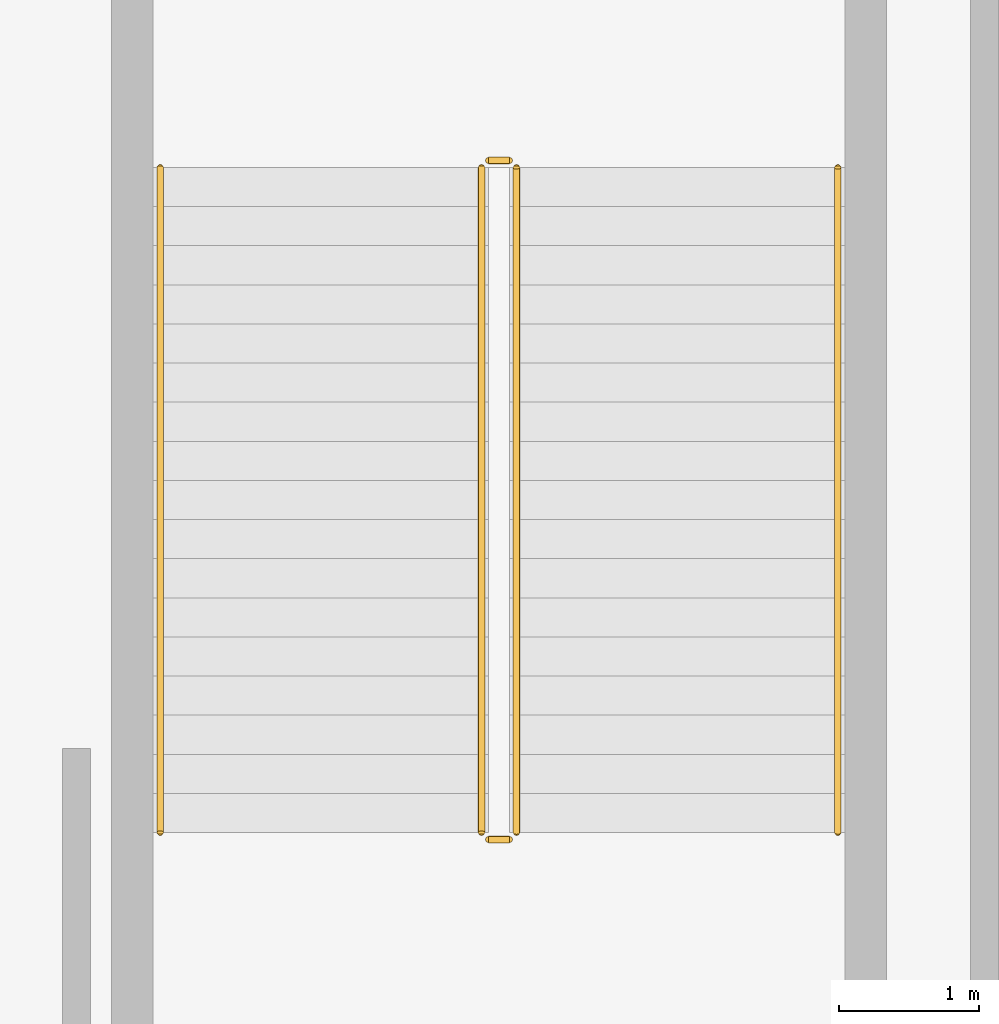
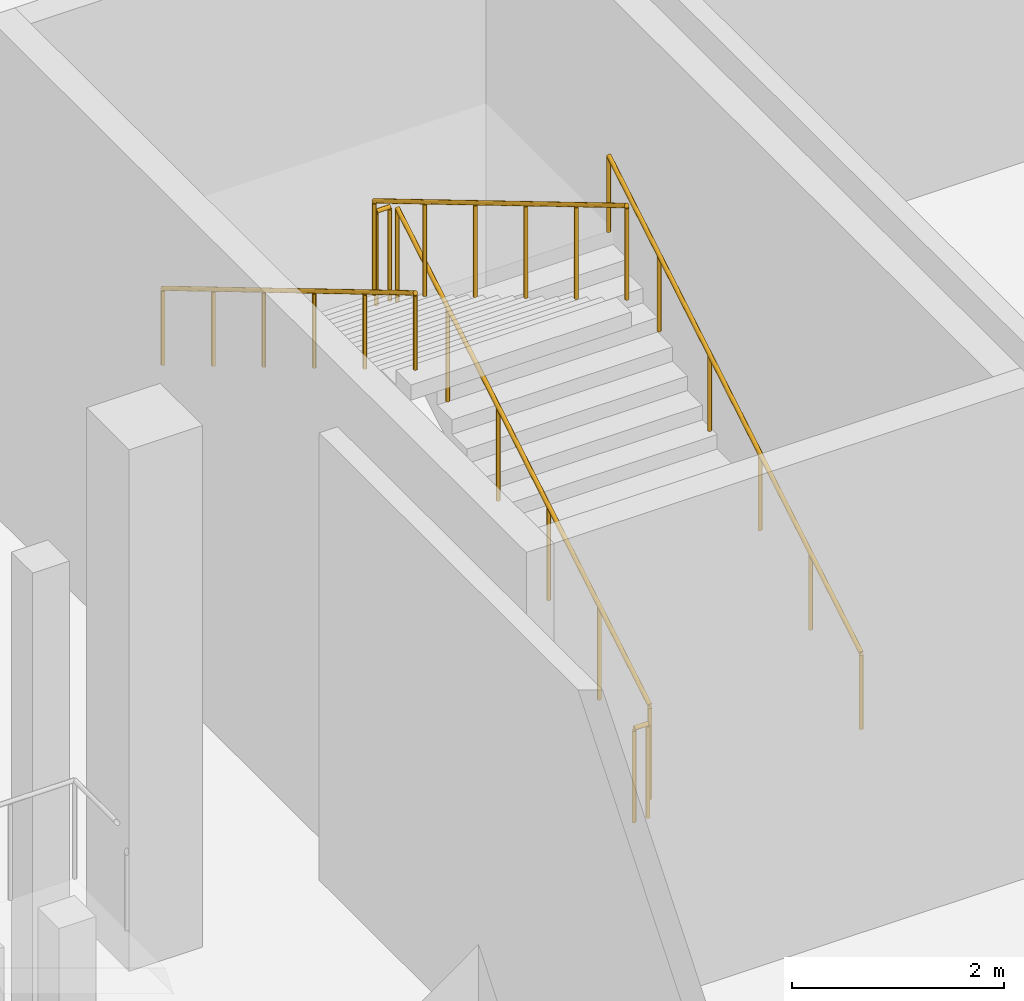
# One storey, part 18 of 19: 6 railings.
"""IFC4 building model written with IfcOpenShell, lengths in metres."""

from ifc_helpers import new_model, si_unit, direction, frame, origin, origin_2d, place, context, subcontext, project, spatial, circle, extrude, material, type_object, element, save


model = new_model("IFC4")

# Units and contexts
model_context = context("Model", 3, precision=1e-05, world=origin(), true_north=direction((0.0, 1.0)))
body_context = subcontext(model_context, "Body", "Model", "MODEL_VIEW")
ifc_project = project(units=[si_unit("LENGTHUNIT", "METRE"), si_unit("AREAUNIT", "SQUARE_METRE"), si_unit("VOLUMEUNIT", "CUBIC_METRE"), si_unit("PLANEANGLEUNIT", "RADIAN"), si_unit("MASSUNIT", "GRAM", prefix="KILO")], contexts=[model_context])

# Site, building, storey
site_placement = place(None, origin())
site = spatial("IfcSite", under=ifc_project, at=site_placement, CompositionType="ELEMENT")
building_placement = place(site_placement, origin())
building = spatial("IfcBuilding", under=site, at=building_placement, Name="Rubra Terraces Tower", CompositionType="ELEMENT")
storey_placement = place(building_placement, frame((0.0, 0.0, -6.0)))
storey = spatial("IfcBuildingStorey", under=building, at=storey_placement, Name="B1", CompositionType="ELEMENT", Elevation=-6.0)

# Railings
ifc_material = material(Name="Stainless steel", Category="steel")
railing_type_1 = type_object("IfcRailingType", Name="Public stair guard 1100", PredefinedType="GUARDRAIL", material=ifc_material)
railing_1_placement = place(storey_placement, frame((-24.85009765625, 23.39990234375, 0.166748046875)))
element("IfcRailing", 1, at=railing_1_placement, inside=storey, type_object=railing_type_1, Name="B1 SE5 stair guard 1", PredefinedType="GUARDRAIL", context=body_context, shape_type="SweptSolid", body=[
    extrude(circle(Radius=0.02392578125, at=origin_2d()), frame((0.0, 0.0, 1.076171875), z_axis=(0.0, 0.859299802514, 0.511472237174), x_axis=(-1.0, 0.0, 0.0)), (0.0, 0.0, 1.0), 5.539306640625),
    extrude(circle(Radius=0.02099609375, at=origin_2d()), origin(), (0.0, 0.0, 1.0), 1.052001953125),
    extrude(circle(Radius=0.02099609375, at=origin_2d()), frame((0.0, 0.951904296875, 0.566650390625)), (0.0, 0.0, 1.0), 1.052001953125),
    extrude(circle(Radius=0.02099609375, at=origin_2d()), frame((0.0, 1.904052734375, 1.13330078125)), (0.0, 0.0, 1.0), 1.052001953125),
    extrude(circle(Radius=0.02099609375, at=origin_2d()), frame((0.0, 2.85595703125, 1.699951171875)), (0.0, 0.0, 1.0), 1.052001953125),
    extrude(circle(Radius=0.02099609375, at=origin_2d()), frame((0.0, 3.80810546875, 2.2666015625)), (0.0, 0.0, 1.0), 1.052001953125),
    extrude(circle(Radius=0.02099609375, at=origin_2d()), frame((0.0, 4.760009765625, 2.833251953125)), (0.0, 0.0, 1.0), 1.052001953125),
])
railing_2_placement = place(storey_placement, frame((-24.89990234375, 28.2099609375, 3.0)))
element("IfcRailing", 2, at=railing_2_placement, inside=storey, type_object=railing_type_1, Name="B1 SE5 stair guard 2", PredefinedType="GUARDRAIL", context=body_context, shape_type="SweptSolid", body=[
    extrude(circle(Radius=0.02392578125, at=origin_2d()), frame((0.0, 0.0, 1.076171875), z_axis=(-1.0, 0.0, 0.0), x_axis=(0.0, -1.0, 0.0)), (0.0, 0.0, 1.0), 0.150146484375),
    extrude(circle(Radius=0.02099609375, at=origin_2d()), origin(), (0.0, 0.0, 1.0), 1.052001953125),
    extrude(circle(Radius=0.02099609375, at=origin_2d()), frame((-0.150146484375, 0.0, 0.0)), (0.0, 0.0, 1.0), 1.052001953125),
])
railing_3_placement = place(storey_placement, frame((-25.10009765625, 28.159912109375, 3.166748046875)))
element("IfcRailing", 3, at=railing_3_placement, inside=storey, type_object=railing_type_1, Name="B1 SE5 stair guard 3", PredefinedType="GUARDRAIL", context=body_context, shape_type="SweptSolid", body=[
    extrude(circle(Radius=0.02392578125, at=origin_2d()), frame((0.0, 0.0, 1.076171875), z_axis=(0.0, -0.859299802514, 0.511472237174), x_axis=(1.0, 0.0, 0.0)), (0.0, 0.0, 1.0), 5.539306640625),
    extrude(circle(Radius=0.02099609375, at=origin_2d()), origin(), (0.0, 0.0, 1.0), 1.052001953125),
    extrude(circle(Radius=0.02099609375, at=origin_2d()), frame((0.0, -0.951904296875, 0.566650390625)), (0.0, 0.0, 1.0), 1.052001953125),
    extrude(circle(Radius=0.02099609375, at=origin_2d()), frame((0.0, -1.904052734375, 1.13330078125)), (0.0, 0.0, 1.0), 1.052001953125),
    extrude(circle(Radius=0.02099609375, at=origin_2d()), frame((0.0, -2.85595703125, 1.699951171875)), (0.0, 0.0, 1.0), 1.052001953125),
    extrude(circle(Radius=0.02099609375, at=origin_2d()), frame((0.0, -3.80810546875, 2.2666015625)), (0.0, 0.0, 1.0), 1.052001953125),
    extrude(circle(Radius=0.02099609375, at=origin_2d()), frame((0.0, -4.760009765625, 2.833251953125)), (0.0, 0.0, 1.0), 1.052001953125),
])
railing_4_placement = place(storey_placement, frame((-24.89990234375, 23.35009765625, 0.0)))
element("IfcRailing", 4, at=railing_4_placement, inside=storey, type_object=railing_type_1, Name="B1 SE5 stair guard 4", PredefinedType="GUARDRAIL", context=body_context, shape_type="SweptSolid", body=[
    extrude(circle(Radius=0.02392578125, at=origin_2d()), frame((0.0, 0.0, 1.076171875), z_axis=(-1.0, 0.0, 0.0), x_axis=(0.0, -1.0, 0.0)), (0.0, 0.0, 1.0), 0.150146484375),
    extrude(circle(Radius=0.02099609375, at=origin_2d()), origin(), (0.0, 0.0, 1.0), 1.052001953125),
    extrude(circle(Radius=0.02099609375, at=origin_2d()), frame((-0.150146484375, 0.0, 0.0)), (0.0, 0.0, 1.0), 1.052001953125),
])
railing_type_2 = type_object("IfcRailingType", Name="Public stair handrail 900", PredefinedType="HANDRAIL", material=ifc_material)
railing_5_placement = place(storey_placement, frame((-22.550048828125, 23.39990234375, 0.166748046875)))
element("IfcRailing", 5, at=railing_5_placement, inside=storey, type_object=railing_type_2, Name="B1 SE5 stair handrail 1", PredefinedType="HANDRAIL", context=body_context, shape_type="SweptSolid", body=[
    extrude(circle(Radius=0.02392578125, at=origin_2d()), frame((0.0, 0.0, 0.8759765625), z_axis=(0.0, 0.859299802514, 0.511472237174), x_axis=(-1.0, 0.0, 0.0)), (0.0, 0.0, 1.0), 5.539306640625),
    extrude(circle(Radius=0.02099609375, at=origin_2d()), origin(), (0.0, 0.0, 1.0), 0.851806640625),
    extrude(circle(Radius=0.02099609375, at=origin_2d()), frame((0.0, 0.951904296875, 0.566650390625)), (0.0, 0.0, 1.0), 0.851806640625),
    extrude(circle(Radius=0.02099609375, at=origin_2d()), frame((0.0, 1.904052734375, 1.13330078125)), (0.0, 0.0, 1.0), 0.851806640625),
    extrude(circle(Radius=0.02099609375, at=origin_2d()), frame((0.0, 2.85595703125, 1.699951171875)), (0.0, 0.0, 1.0), 0.851806640625),
    extrude(circle(Radius=0.02099609375, at=origin_2d()), frame((0.0, 3.80810546875, 2.2666015625)), (0.0, 0.0, 1.0), 0.851806640625),
    extrude(circle(Radius=0.02099609375, at=origin_2d()), frame((0.0, 4.760009765625, 2.833251953125)), (0.0, 0.0, 1.0), 0.851806640625),
])
railing_6_placement = place(storey_placement, frame((-27.39990234375, 28.159912109375, 3.166748046875)))
element("IfcRailing", 6, at=railing_6_placement, inside=storey, type_object=railing_type_2, Name="B1 SE5 stair handrail 2", PredefinedType="HANDRAIL", context=body_context, shape_type="SweptSolid", body=[
    extrude(circle(Radius=0.02392578125, at=origin_2d()), frame((0.0, 0.0, 0.8759765625), z_axis=(0.0, -0.859299802514, 0.511472237174), x_axis=(1.0, 0.0, 0.0)), (0.0, 0.0, 1.0), 5.539306640625),
    extrude(circle(Radius=0.02099609375, at=origin_2d()), origin(), (0.0, 0.0, 1.0), 0.851806640625),
    extrude(circle(Radius=0.02099609375, at=origin_2d()), frame((0.0, -0.951904296875, 0.566650390625)), (0.0, 0.0, 1.0), 0.851806640625),
    extrude(circle(Radius=0.02099609375, at=origin_2d()), frame((0.0, -1.904052734375, 1.13330078125)), (0.0, 0.0, 1.0), 0.851806640625),
    extrude(circle(Radius=0.02099609375, at=origin_2d()), frame((0.0, -2.85595703125, 1.699951171875)), (0.0, 0.0, 1.0), 0.851806640625),
    extrude(circle(Radius=0.02099609375, at=origin_2d()), frame((0.0, -3.80810546875, 2.2666015625)), (0.0, 0.0, 1.0), 0.851806640625),
    extrude(circle(Radius=0.02099609375, at=origin_2d()), frame((0.0, -4.760009765625, 2.833251953125)), (0.0, 0.0, 1.0), 0.851806640625),
])

save(model, "model.ifc")
